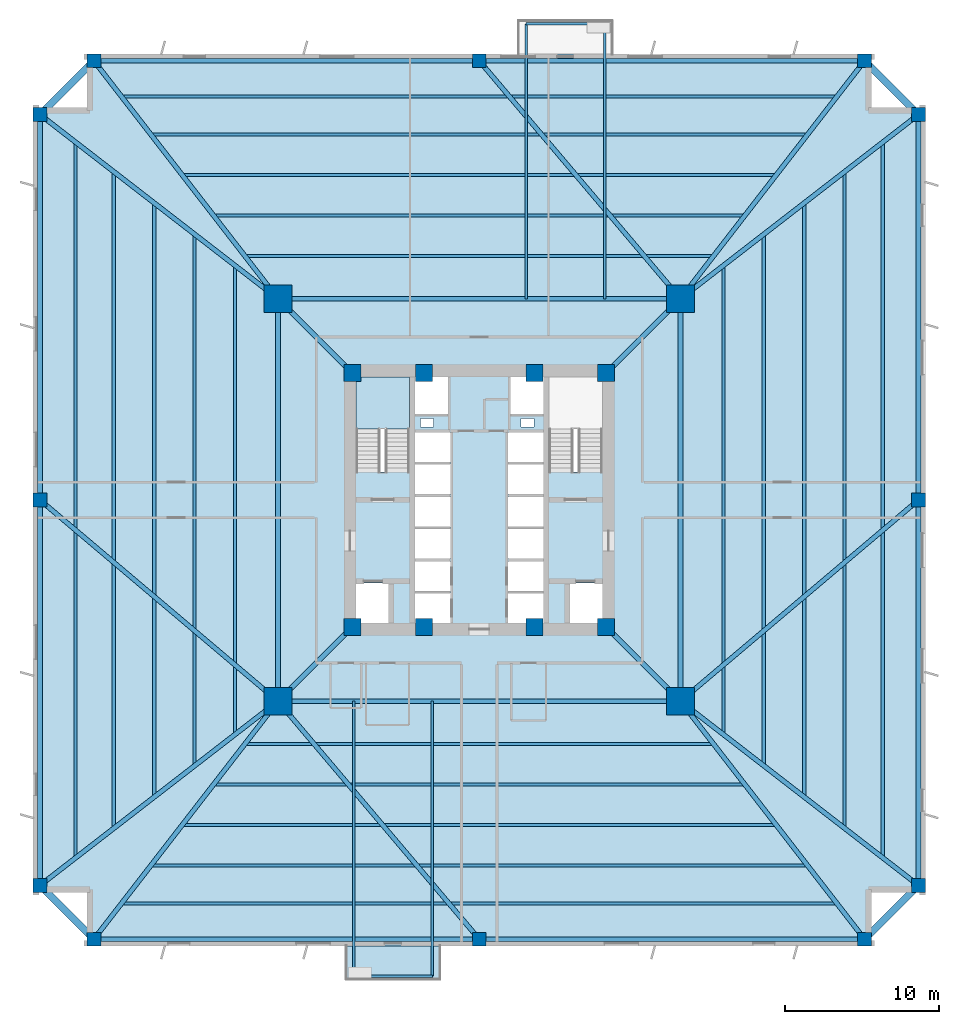
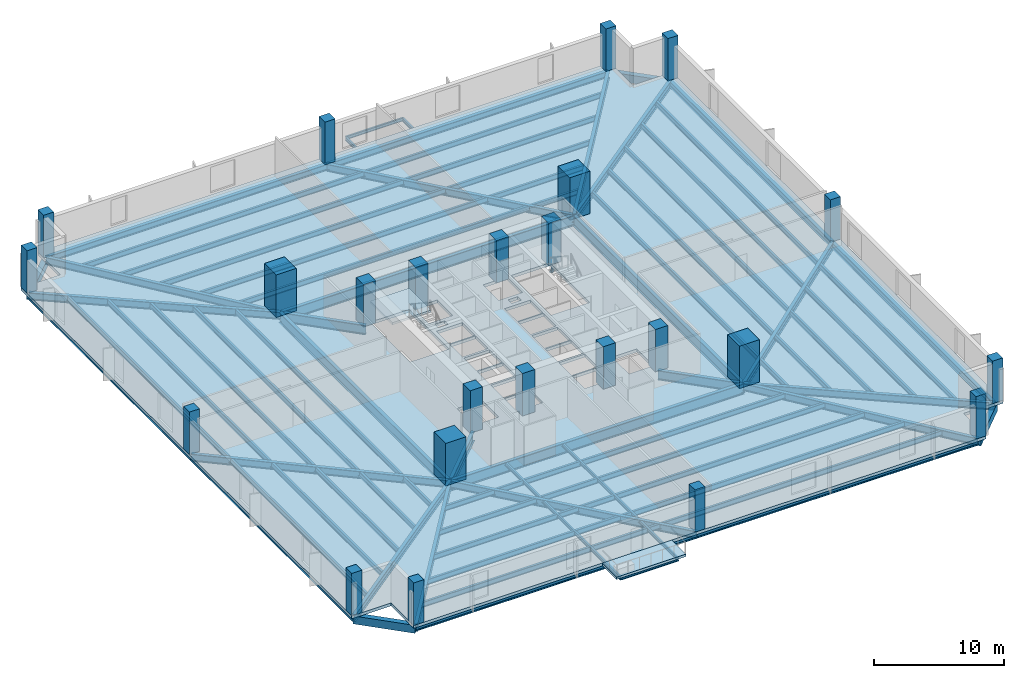
# One storey, part 1 of 8: 58 beams, 24 columns, 3 slabs, 1 element without a shape of its own.
"""IFC4 building model written with IfcOpenShell, lengths in metres."""

from ifc_helpers import new_model, si_unit, direction, frame, origin, origin_2d, place, context, subcontext, project, spatial, polyline, rectangle, i_section, outline, extrude, source, transform, mapped, material, layer, layer_set, material_profile, profile_set, type_object, element, aggregate, save


model = new_model("IFC4")

# Units and contexts
model_context = context("Model", 3, precision=1e-05, world=origin(), true_north=direction((0.0, 1.0)))
body_context = subcontext(model_context, "Body", "Model", "MODEL_VIEW")
ifc_project = project(units=[si_unit("LENGTHUNIT", "METRE"), si_unit("AREAUNIT", "SQUARE_METRE"), si_unit("VOLUMEUNIT", "CUBIC_METRE"), si_unit("PLANEANGLEUNIT", "RADIAN"), si_unit("MASSUNIT", "GRAM", prefix="KILO"), si_unit("THERMODYNAMICTEMPERATUREUNIT", "KELVIN")], contexts=[model_context])

# Site, building, storey
site_placement = place(None, origin())
site = spatial("IfcSite", under=ifc_project, at=site_placement, CompositionType="ELEMENT")
building_placement = place(site_placement, origin())
building = spatial("IfcBuilding", under=site, at=building_placement, Name="Kosmvard Interchange Tower", CompositionType="ELEMENT")
storey_placement = place(building_placement, frame((0.0, 0.0, 30.0)))
storey = spatial("IfcBuildingStorey", under=building, at=storey_placement, Name="L06", CompositionType="ELEMENT", Elevation=30.0)

# Columns
ifc_material_1 = material(Name="Concrete C80/95", Category="concrete")
ifc_material_profile_1 = material_profile(ifc_material_1, rectangle(XDim=1.10009765625, YDim=1.10009765625, at=origin_2d()), Name="CP 1100x1100")
ifc_profile_set_1 = profile_set([ifc_material_profile_1], Name="Concrete C80/95")
column_type_1 = type_object("IfcColumnType", Name="Core Boundary Pilaster 1100x1100 C80/95", PredefinedType="PILASTER", material=ifc_profile_set_1)
shared_shape_1 = source(origin(), body_context, "Body", "SweptSolid", [
    extrude(rectangle(XDim=1.10009765625, YDim=1.10009765625, at=origin_2d()), origin(), (0.0, 0.0, 1.0), 4.0),
])
for number, where, z_axis, x_axis, name in (
    (1, (-8.25, -8.25, 0.0), (0.0, 0.0, 1.0), (1.0, 0.0, 0.0), "L06 Core Pilaster CP1"),
    (2, (8.25, -8.25, 0.0), (0.0, 0.0, 1.0), (1.0, 0.0, 0.0), "L06 Core Pilaster CP2"),
    (3, (8.25, 8.25, 0.0), (0.0, 0.0, 1.0), (1.0, 0.0, 0.0), "L06 Core Pilaster CP3"),
    (4, (-8.25, 8.25, 0.0), (0.0, 0.0, 1.0), (1.0, 0.0, 0.0), "L06 Core Pilaster CP4"),
    (5, (-3.60009765625, -8.25, 0.0), (0.0, 0.0, 1.0), (1.0, 0.0, 0.0), "L06 Core Pilaster CP5"),
    (6, (3.60009765625, -8.25, 0.0), (0.0, 0.0, 1.0), (1.0, 0.0, 0.0), "L06 Core Pilaster CP6"),
    (7, (-3.60009765625, 8.25, 0.0), (0.0, 0.0, 1.0), (1.0, 0.0, 0.0), "L06 Core Pilaster CP7"),
    (8, (3.60009765625, 8.25, 0.0), (0.0, 0.0, 1.0), (1.0, 0.0, 0.0), "L06 Core Pilaster CP8"),
):
    element("IfcColumn", number, at=place(storey_placement, frame(where, z_axis=z_axis, x_axis=x_axis)), inside=storey, type_object=column_type_1, Name=name, PredefinedType="PILASTER", context=body_context, shape_type="MappedRepresentation", body=[
        mapped(shared_shape_1, transform((0.0, 0.0, 0.0), scale=1.0)),
    ])
ifc_material_profile_2 = material_profile(ifc_material_1, rectangle(XDim=1.800048828125, YDim=1.800048828125, at=origin_2d()), Name="MC 1800x1800")
ifc_profile_set_2 = profile_set([ifc_material_profile_2], Name="Concrete C80/95")
column_type_2 = type_object("IfcColumnType", Name="Composite Mega-Column 1800x1800 C80/95", PredefinedType="COLUMN", material=ifc_profile_set_2)
shared_shape_2 = source(origin(), body_context, "Body", "SweptSolid", [
    extrude(rectangle(XDim=1.800048828125, YDim=1.800048828125, at=origin_2d()), origin(), (0.0, 0.0, 1.0), 4.0),
])
for number, where, z_axis, x_axis, name in (
    (9, (-13.0810546875, -13.0810546875, 0.0), (0.0, 0.0, 1.0), (1.0, 0.0, 0.0), "L06 Corner Mega-Column MC1"),
    (10, (13.0810546875, -13.0810546875, 0.0), (0.0, 0.0, 1.0), (1.0, 0.0, 0.0), "L06 Corner Mega-Column MC2"),
    (11, (13.0810546875, 13.0810546875, 0.0), (0.0, 0.0, 1.0), (1.0, 0.0, 0.0), "L06 Corner Mega-Column MC3"),
    (12, (-13.0810546875, 13.0810546875, 0.0), (0.0, 0.0, 1.0), (1.0, 0.0, 0.0), "L06 Corner Mega-Column MC4"),
):
    element("IfcColumn", number, at=place(storey_placement, frame(where, z_axis=z_axis, x_axis=x_axis)), inside=storey, type_object=column_type_2, Name=name, PredefinedType="COLUMN", context=body_context, shape_type="MappedRepresentation", body=[
        mapped(shared_shape_2, transform((0.0, 0.0, 0.0), scale=1.0)),
    ])
ifc_material_2 = material(Name="Concrete C60/75", Category="concrete")
ifc_material_profile_3 = material_profile(ifc_material_2, rectangle(XDim=0.89990234375, YDim=0.89990234375, at=origin_2d()), Name="TC 900x900")
ifc_profile_set_3 = profile_set([ifc_material_profile_3], Name="Concrete C60/75")
column_type_3 = type_object("IfcColumnType", Name="Zone 1 Perimeter Pier Column 900x900 C60/75", PredefinedType="COLUMN", material=ifc_profile_set_3)
shared_shape_3 = source(origin(), body_context, "Body", "SweptSolid", [
    extrude(rectangle(XDim=0.89990234375, YDim=0.89990234375, at=origin_2d()), origin(), (0.0, 0.0, 1.0), 4.0),
])
for number, where, z_axis, x_axis, name in (
    (13, (-25.050048828125, -28.550048828125, 0.0), (0.0, 0.0, 1.0), (1.0, 0.0, 0.0), "L06 Perimeter Pier Column TC-S1"),
    (14, (0.0, -28.550048828125, 0.0), (0.0, 0.0, 1.0), (1.0, 0.0, 0.0), "L06 Perimeter Pier Column TC-S2"),
    (15, (25.050048828125, -28.550048828125, 0.0), (0.0, 0.0, 1.0), (1.0, 0.0, 0.0), "L06 Perimeter Pier Column TC-S3"),
    (16, (28.550048828125, -25.050048828125, 0.0), (0.0, 0.0, 1.0), (1.0, 0.0, 0.0), "L06 Perimeter Pier Column TC-E1"),
    (17, (28.550048828125, 0.0, 0.0), (0.0, 0.0, 1.0), (1.0, 0.0, 0.0), "L06 Perimeter Pier Column TC-E2"),
    (18, (28.550048828125, 25.050048828125, 0.0), (0.0, 0.0, 1.0), (1.0, 0.0, 0.0), "L06 Perimeter Pier Column TC-E3"),
    (19, (25.050048828125, 28.550048828125, 0.0), (0.0, 0.0, 1.0), (1.0, 0.0, 0.0), "L06 Perimeter Pier Column TC-N1"),
    (20, (0.0, 28.550048828125, 0.0), (0.0, 0.0, 1.0), (1.0, 0.0, 0.0), "L06 Perimeter Pier Column TC-N2"),
    (21, (-25.050048828125, 28.550048828125, 0.0), (0.0, 0.0, 1.0), (1.0, 0.0, 0.0), "L06 Perimeter Pier Column TC-N3"),
    (22, (-28.550048828125, 25.050048828125, 0.0), (0.0, 0.0, 1.0), (1.0, 0.0, 0.0), "L06 Perimeter Pier Column TC-W1"),
    (23, (-28.550048828125, 0.0, 0.0), (0.0, 0.0, 1.0), (1.0, 0.0, 0.0), "L06 Perimeter Pier Column TC-W2"),
    (24, (-28.550048828125, -25.050048828125, 0.0), (0.0, 0.0, 1.0), (1.0, 0.0, 0.0), "L06 Perimeter Pier Column TC-W3"),
):
    element("IfcColumn", number, at=place(storey_placement, frame(where, z_axis=z_axis, x_axis=x_axis)), inside=storey, type_object=column_type_3, Name=name, PredefinedType="COLUMN", context=body_context, shape_type="MappedRepresentation", body=[
        mapped(shared_shape_3, transform((0.0, 0.0, 0.0), scale=1.0)),
    ])

# Beams
ifc_material_3 = material(Name="Steel S460", Category="steel")
ifc_material_profile_4 = material_profile(ifc_material_3, i_section(OverallWidth=0.30810546875, OverallDepth=0.909912109375, WebThickness=0.02099609375, FlangeThickness=0.0400390625, FilletRadius=0.027099609375, at=origin_2d()), Name="HEM 900")
ifc_profile_set_4 = profile_set([ifc_material_profile_4], Name="Steel S460")
beam_type_1 = type_object("IfcBeamType", Name="Primary Mega-Frame Girder HEM 900 S460", PredefinedType="BEAM", material=ifc_profile_set_4)
shared_shape_4 = source(origin(), body_context, "Body", "SweptSolid", [
    extrude(i_section(OverallWidth=0.30810546875, OverallDepth=0.909912109375, WebThickness=0.02099609375, FlangeThickness=0.0400390625, FilletRadius=0.027099609375, at=origin_2d()), origin(), (0.0, 0.0, 1.0), 6.83203125),
])
for number, where, z_axis, x_axis, name in (
    (25, (-8.25, -8.25, -0.735107421875), (-0.707106781187, -0.707106781187, 0.0), (0.707106781187, -0.707106781187, 0.0), "L06 Radial Mega-Frame Girder 1"),
    (26, (8.25, -8.25, -0.735107421875), (0.707106781187, -0.707106781187, 0.0), (0.707106781187, 0.707106781187, 0.0), "L06 Radial Mega-Frame Girder 2"),
    (27, (8.25, 8.25, -0.735107421875), (0.707106781187, 0.707106781187, 0.0), (-0.707106781187, 0.707106781187, 0.0), "L06 Radial Mega-Frame Girder 3"),
    (28, (-8.25, 8.25, -0.735107421875), (-0.707106781187, 0.707106781187, 0.0), (-0.707106781187, -0.707106781187, 0.0), "L06 Radial Mega-Frame Girder 4"),
):
    element("IfcBeam", number, at=place(storey_placement, frame(where, z_axis=z_axis, x_axis=x_axis)), inside=storey, type_object=beam_type_1, Name=name, PredefinedType="BEAM", context=body_context, shape_type="MappedRepresentation", body=[
        mapped(shared_shape_4, transform((0.0, 0.0, 0.0), scale=1.0)),
    ])
ifc_material_profile_5 = material_profile(ifc_material_3, i_section(OverallWidth=0.30908203125, OverallDepth=1.008056640625, WebThickness=0.02099609375, FlangeThickness=0.0400390625, FilletRadius=0.030029296875, at=origin_2d()), Name="HEM 1000")
ifc_profile_set_5 = profile_set([ifc_material_profile_5], Name="Steel S460")
beam_type_2 = type_object("IfcBeamType", Name="Mega-Column Ring Girder HEM 1000 S460", PredefinedType="BEAM", material=ifc_profile_set_5)
shared_shape_5 = source(origin(), body_context, "Body", "SweptSolid", [
    extrude(i_section(OverallWidth=0.30908203125, OverallDepth=1.008056640625, WebThickness=0.02099609375, FlangeThickness=0.0400390625, FilletRadius=0.030029296875, at=origin_2d()), origin(), (0.0, 0.0, 1.0), 26.162109375),
])
for number, where, z_axis, x_axis, name in (
    (29, (-13.0810546875, -13.0810546875, -0.783935546875), (1.0, 0.0, 0.0), (0.0, 1.0, 0.0), "L06 Mega-Column Ring Girder 1"),
    (30, (13.0810546875, -13.0810546875, -0.783935546875), (0.0, 1.0, 0.0), (-1.0, 0.0, 0.0), "L06 Mega-Column Ring Girder 2"),
    (31, (13.0810546875, 13.0810546875, -0.783935546875), (-1.0, 0.0, 0.0), (0.0, -1.0, 0.0), "L06 Mega-Column Ring Girder 3"),
    (32, (-13.0810546875, 13.0810546875, -0.783935546875), (0.0, -1.0, 0.0), (1.0, 0.0, 0.0), "L06 Mega-Column Ring Girder 4"),
):
    element("IfcBeam", number, at=place(storey_placement, frame(where, z_axis=z_axis, x_axis=x_axis)), inside=storey, type_object=beam_type_2, Name=name, PredefinedType="BEAM", context=body_context, shape_type="MappedRepresentation", body=[
        mapped(shared_shape_5, transform((0.0, 0.0, 0.0), scale=1.0)),
    ])
ifc_material_4 = material(Name="Steel S355", Category="steel")
ifc_material_profile_6 = material_profile(ifc_material_4, i_section(OverallWidth=0.159912109375, OverallDepth=0.330078125, WebThickness=0.007568359375, FlangeThickness=0.011474609375, FilletRadius=0.01806640625, at=origin_2d()), Name="IPE 330")
ifc_profile_set_6 = profile_set([ifc_material_profile_6], Name="Steel S355")
beam_type_3 = type_object("IfcBeamType", Name="Balcony Cantilever Joist IPE 330 S355", PredefinedType="JOIST", material=ifc_profile_set_6)
shared_shape_6 = source(origin(), body_context, "Body", "SweptSolid", [
    extrude(i_section(OverallWidth=0.159912109375, OverallDepth=0.330078125, WebThickness=0.007568359375, FlangeThickness=0.011474609375, FilletRadius=0.01806640625, at=origin_2d()), origin(), (0.0, 0.0, 1.0), 17.868896484375),
])
for number, where, z_axis, x_axis, name in (
    (33, (8.14990234375, 13.0810546875, -0.445068359375), (0.0, 1.0, 0.0), (-1.0, 0.0, 0.0), "BM-L06-BJ1"),
    (34, (3.050048828125, 13.0810546875, -0.445068359375), (0.0, 1.0, 0.0), (-1.0, 0.0, 0.0), "BM-L06-BJB1"),
    (35, (-8.14990234375, -13.0810546875, -0.445068359375), (0.0, -1.0, 0.0), (1.0, 0.0, 0.0), "BM-L06-BJ2"),
    (36, (-3.050048828125, -13.0810546875, -0.445068359375), (0.0, -1.0, 0.0), (1.0, 0.0, 0.0), "BM-L06-BJB2"),
):
    element("IfcBeam", number, at=place(storey_placement, frame(where, z_axis=z_axis, x_axis=x_axis)), inside=storey, type_object=beam_type_3, Name=name, PredefinedType="JOIST", context=body_context, shape_type="MappedRepresentation", body=[
        mapped(shared_shape_6, transform((0.0, 0.0, 0.0), scale=1.0)),
    ])
ifc_material_profile_7 = material_profile(ifc_material_4, i_section(OverallWidth=0.14990234375, OverallDepth=0.300048828125, WebThickness=0.007080078125, FlangeThickness=0.0107421875, FilletRadius=0.014892578125, at=origin_2d()), Name="IPE 300")
ifc_profile_set_7 = profile_set([ifc_material_profile_7], Name="Steel S355")
beam_type_4 = type_object("IfcBeamType", Name="Balcony Edge Header Joist IPE 300 S355", PredefinedType="JOIST", material=ifc_profile_set_7)
shared_shape_7 = source(origin(), body_context, "Body", "SweptSolid", [
    extrude(i_section(OverallWidth=0.14990234375, OverallDepth=0.300048828125, WebThickness=0.007080078125, FlangeThickness=0.0107421875, FilletRadius=0.014892578125, at=origin_2d()), origin(), (0.0, 0.0, 1.0), 5.099853515625),
])
for number, where, z_axis, x_axis, name in (
    (37, (8.14990234375, 30.949951171875, -0.429931640625), (-1.0, 0.0, 0.0), (0.0, -1.0, 0.0), "BM-L06-BJH1"),
    (38, (-8.14990234375, -30.949951171875, -0.429931640625), (1.0, 0.0, 0.0), (0.0, 1.0, 0.0), "BM-L06-BJH2"),
):
    element("IfcBeam", number, at=place(storey_placement, frame(where, z_axis=z_axis, x_axis=x_axis)), inside=storey, type_object=beam_type_4, Name=name, PredefinedType="JOIST", context=body_context, shape_type="MappedRepresentation", body=[
        mapped(shared_shape_7, transform((0.0, 0.0, 0.0), scale=1.0)),
    ])
ifc_material_profile_8 = material_profile(ifc_material_4, i_section(OverallWidth=0.300048828125, OverallDepth=0.60009765625, WebThickness=0.015380859375, FlangeThickness=0.030029296875, FilletRadius=0.027099609375, at=origin_2d()), Name="HEB 600")
ifc_profile_set_8 = profile_set([ifc_material_profile_8], Name="Steel S355")
beam_type_5 = type_object("IfcBeamType", Name="Perimeter Tie Girder HEB 600 S355", PredefinedType="BEAM", material=ifc_profile_set_8)
shared_shape_8 = source(origin(), body_context, "Body", "SweptSolid", [
    extrude(i_section(OverallWidth=0.300048828125, OverallDepth=0.60009765625, WebThickness=0.015380859375, FlangeThickness=0.030029296875, FilletRadius=0.027099609375, at=origin_2d()), origin(), (0.0, 0.0, 1.0), 25.050048828125),
])
for number, where, z_axis, x_axis, name in (
    (39, (-25.050048828125, -28.550048828125, -0.580078125), (1.0, 0.0, 0.0), (0.0, 1.0, 0.0), "BM-L06-PR01"),
    (40, (0.0, -28.550048828125, -0.580078125), (1.0, 0.0, 0.0), (0.0, 1.0, 0.0), "BM-L06-PR02"),
    (41, (28.550048828125, -25.050048828125, -0.580078125), (0.0, 1.0, 0.0), (-1.0, 0.0, 0.0), "BM-L06-PR04"),
    (42, (28.550048828125, 0.0, -0.580078125), (0.0, 1.0, 0.0), (-1.0, 0.0, 0.0), "BM-L06-PR05"),
    (43, (25.050048828125, 28.550048828125, -0.580078125), (-1.0, 0.0, 0.0), (0.0, -1.0, 0.0), "BM-L06-PR07"),
    (44, (0.0, 28.550048828125, -0.580078125), (-1.0, 0.0, 0.0), (0.0, -1.0, 0.0), "BM-L06-PR08"),
    (45, (-28.550048828125, 25.050048828125, -0.580078125), (0.0, -1.0, 0.0), (1.0, 0.0, 0.0), "BM-L06-PR10"),
    (46, (-28.550048828125, 0.0, -0.580078125), (0.0, -1.0, 0.0), (1.0, 0.0, 0.0), "BM-L06-PR11"),
):
    element("IfcBeam", number, at=place(storey_placement, frame(where, z_axis=z_axis, x_axis=x_axis)), inside=storey, type_object=beam_type_5, Name=name, PredefinedType="BEAM", context=body_context, shape_type="MappedRepresentation", body=[
        mapped(shared_shape_8, transform((0.0, 0.0, 0.0), scale=1.0)),
    ])
ifc_material_profile_9 = material_profile(ifc_material_4, i_section(OverallWidth=0.300048828125, OverallDepth=0.699951171875, WebThickness=0.01708984375, FlangeThickness=0.031982421875, FilletRadius=0.027099609375, at=origin_2d()), Name="HEB 700")
ifc_profile_set_9 = profile_set([ifc_material_profile_9], Name="Steel S355")
beam_type_6 = type_object("IfcBeamType", Name="Primary Floor Girder HEB 700 S355", PredefinedType="BEAM", material=ifc_profile_set_9)
shared_shape_9 = source(origin(), body_context, "Body", "SweptSolid", [
    extrude(i_section(OverallWidth=0.300048828125, OverallDepth=0.699951171875, WebThickness=0.01708984375, FlangeThickness=0.031982421875, FilletRadius=0.027099609375, at=origin_2d()), origin(), (0.0, 0.0, 1.0), 19.558837890625),
])
for number, where, z_axis, x_axis, name in (
    (47, (-13.0810546875, -13.0810546875, -0.6298828125), (-0.611949354357, -0.79089695138, 0.0), (0.79089695138, -0.611949354357, 0.0), "BM-L06-RD01"),
    (48, (13.0810546875, -13.0810546875, -0.6298828125), (0.611949354357, -0.79089695138, 0.0), (0.79089695138, 0.611949354357, 0.0), "BM-L06-RD03"),
    (49, (13.0810546875, -13.0810546875, -0.6298828125), (0.79089695138, -0.611949354357, 0.0), (0.611949354357, 0.79089695138, 0.0), "BM-L06-RD04"),
    (50, (13.0810546875, 13.0810546875, -0.6298828125), (0.79089695138, 0.611949354357, 0.0), (-0.611949354357, 0.79089695138, 0.0), "BM-L06-RD06"),
    (51, (13.0810546875, 13.0810546875, -0.6298828125), (0.611949354357, 0.79089695138, 0.0), (-0.79089695138, 0.611949354357, 0.0), "BM-L06-RD07"),
    (52, (-13.0810546875, 13.0810546875, -0.6298828125), (-0.611949354357, 0.79089695138, 0.0), (-0.79089695138, -0.611949354357, 0.0), "BM-L06-RD09"),
    (53, (-13.0810546875, 13.0810546875, -0.6298828125), (-0.79089695138, 0.611949354357, 0.0), (-0.611949354357, -0.79089695138, 0.0), "BM-L06-RD10"),
    (54, (-13.0810546875, -13.0810546875, -0.6298828125), (-0.79089695138, -0.611949354357, 0.0), (0.611949354357, -0.79089695138, 0.0), "BM-L06-RD12"),
):
    element("IfcBeam", number, at=place(storey_placement, frame(where, z_axis=z_axis, x_axis=x_axis)), inside=storey, type_object=beam_type_6, Name=name, PredefinedType="BEAM", context=body_context, shape_type="MappedRepresentation", body=[
        mapped(shared_shape_9, transform((0.0, 0.0, 0.0), scale=1.0)),
    ])
shared_shape_10 = source(origin(), body_context, "Body", "SweptSolid", [
    extrude(i_section(OverallWidth=0.300048828125, OverallDepth=0.699951171875, WebThickness=0.01708984375, FlangeThickness=0.031982421875, FilletRadius=0.027099609375, at=origin_2d()), origin(), (0.0, 0.0, 1.0), 20.258544921875),
])
for number, where, z_axis, x_axis, name in (
    (55, (-13.0810546875, -13.0810546875, -0.6298828125), (0.645709371734, -0.763583268056, 0.0), (0.763583268056, 0.645709371734, 0.0), "BM-L06-RD02"),
    (56, (13.0810546875, -13.0810546875, -0.6298828125), (0.763583268056, 0.645709371734, 0.0), (-0.645709371734, 0.763583268056, 0.0), "BM-L06-RD05"),
    (57, (13.0810546875, 13.0810546875, -0.6298828125), (-0.645709371734, 0.763583268056, 0.0), (-0.763583268056, -0.645709371734, 0.0), "BM-L06-RD08"),
    (58, (-13.0810546875, -13.0810546875, -0.6298828125), (-0.763583268056, 0.645709371734, 0.0), (-0.645709371734, -0.763583268056, 0.0), "BM-L06-RD11"),
):
    element("IfcBeam", number, at=place(storey_placement, frame(where, z_axis=z_axis, x_axis=x_axis)), inside=storey, type_object=beam_type_6, Name=name, PredefinedType="BEAM", context=body_context, shape_type="MappedRepresentation", body=[
        mapped(shared_shape_10, transform((0.0, 0.0, 0.0), scale=1.0)),
    ])
ifc_material_5 = material(Name="Precast concrete C45/55", Category="concrete")
ifc_material_profile_10 = material_profile(ifc_material_5, rectangle(XDim=0.449951171875, YDim=0.75, at=origin_2d()), Name="SL 450x750")
ifc_profile_set_10 = profile_set([ifc_material_profile_10], Name="Precast concrete C45/55")
beam_type_7 = type_object("IfcBeamType", Name="Precast Spandrel Lintel 450x750 C45/55", PredefinedType="LINTEL", material=ifc_profile_set_10)
shared_shape_11 = source(origin(), body_context, "Body", "SweptSolid", [
    extrude(rectangle(XDim=0.449951171875, YDim=0.75, at=origin_2d()), origin(), (0.0, 0.0, 1.0), 4.94970703125),
])
for number, where, z_axis, x_axis, name in (
    (59, (25.050048828125, -28.550048828125, -0.655029296875), (0.707106781187, 0.707106781187, 0.0), (-0.707106781187, 0.707106781187, 0.0), "BM-L06-SL1"),
    (60, (28.550048828125, 25.050048828125, -0.655029296875), (-0.707106781187, 0.707106781187, 0.0), (-0.707106781187, -0.707106781187, 0.0), "BM-L06-SL2"),
    (61, (-25.050048828125, 28.550048828125, -0.655029296875), (-0.707106781187, -0.707106781187, 0.0), (0.707106781187, -0.707106781187, 0.0), "BM-L06-SL3"),
    (62, (-28.550048828125, -25.050048828125, -0.655029296875), (0.707106781187, -0.707106781187, 0.0), (0.707106781187, 0.707106781187, 0.0), "BM-L06-SL4"),
):
    element("IfcBeam", number, at=place(storey_placement, frame(where, z_axis=z_axis, x_axis=x_axis)), inside=storey, type_object=beam_type_7, Name=name, PredefinedType="LINTEL", context=body_context, shape_type="MappedRepresentation", body=[
        mapped(shared_shape_11, transform((0.0, 0.0, 0.0), scale=1.0)),
    ])
ifc_material_profile_11 = material_profile(ifc_material_4, i_section(OverallWidth=0.199951171875, OverallDepth=0.5, WebThickness=0.01025390625, FlangeThickness=0.01611328125, FilletRadius=0.02099609375, at=origin_2d()), Name="IPE 500")
ifc_profile_set_11 = profile_set([ifc_material_profile_11], Name="Steel S355")
beam_type_8 = type_object("IfcBeamType", Name="Standard Floor Joist IPE 500 S355", PredefinedType="JOIST", material=ifc_profile_set_11)
shared_shape_12 = source(origin(), body_context, "Body", "SweptSolid", [
    extrude(i_section(OverallWidth=0.199951171875, OverallDepth=0.5, WebThickness=0.01025390625, FlangeThickness=0.01611328125, FilletRadius=0.02099609375, at=origin_2d()), origin(), (0.0, 0.0, 1.0), 30.31103515625),
])
for number, where, z_axis, x_axis, name in (
    (63, (-15.155517578125, -15.865478515625, -0.530029296875), (1.0, 0.0, 0.0), (0.0, 1.0, 0.0), "BM-L06-FJ01"),
    (64, (15.865478515625, -15.155517578125, -0.530029296875), (0.0, 1.0, 0.0), (-1.0, 0.0, 0.0), "BM-L06-FJ06"),
    (65, (15.155517578125, 15.865478515625, -0.530029296875), (-1.0, 0.0, 0.0), (0.0, -1.0, 0.0), "BM-L06-FJ11"),
    (66, (-15.865478515625, 15.155517578125, -0.530029296875), (0.0, -1.0, 0.0), (1.0, 0.0, 0.0), "BM-L06-FJ16"),
):
    element("IfcBeam", number, at=place(storey_placement, frame(where, z_axis=z_axis, x_axis=x_axis)), inside=storey, type_object=beam_type_8, Name=name, PredefinedType="JOIST", context=body_context, shape_type="MappedRepresentation", body=[
        mapped(shared_shape_12, transform((0.0, 0.0, 0.0), scale=1.0)),
    ])
shared_shape_13 = source(origin(), body_context, "Body", "SweptSolid", [
    extrude(i_section(OverallWidth=0.199951171875, OverallDepth=0.5, WebThickness=0.01025390625, FlangeThickness=0.01611328125, FilletRadius=0.02099609375, at=origin_2d()), origin(), (0.0, 0.0, 1.0), 34.38037109375),
])
for number, where, z_axis, x_axis, name in (
    (67, (-17.190185546875, -18.4951171875, -0.530029296875), (1.0, 0.0, 0.0), (0.0, 1.0, 0.0), "BM-L06-FJ02"),
    (68, (18.4951171875, -17.190185546875, -0.530029296875), (0.0, 1.0, 0.0), (-1.0, 0.0, 0.0), "BM-L06-FJ07"),
    (69, (17.190185546875, 18.4951171875, -0.530029296875), (-1.0, 0.0, 0.0), (0.0, -1.0, 0.0), "BM-L06-FJ12"),
    (70, (-18.4951171875, 17.190185546875, -0.530029296875), (0.0, -1.0, 0.0), (1.0, 0.0, 0.0), "BM-L06-FJ17"),
):
    element("IfcBeam", number, at=place(storey_placement, frame(where, z_axis=z_axis, x_axis=x_axis)), inside=storey, type_object=beam_type_8, Name=name, PredefinedType="JOIST", context=body_context, shape_type="MappedRepresentation", body=[
        mapped(shared_shape_13, transform((0.0, 0.0, 0.0), scale=1.0)),
    ])
shared_shape_14 = source(origin(), body_context, "Body", "SweptSolid", [
    extrude(i_section(OverallWidth=0.199951171875, OverallDepth=0.5, WebThickness=0.01025390625, FlangeThickness=0.01611328125, FilletRadius=0.02099609375, at=origin_2d()), origin(), (0.0, 0.0, 1.0), 38.44970703125),
])
for number, where, z_axis, x_axis, name in (
    (71, (-19.224853515625, -21.125, -0.530029296875), (1.0, 0.0, 0.0), (0.0, 1.0, 0.0), "BM-L06-FJ03"),
    (72, (21.125, -19.224853515625, -0.530029296875), (0.0, 1.0, 0.0), (-1.0, 0.0, 0.0), "BM-L06-FJ08"),
    (73, (19.224853515625, 21.125, -0.530029296875), (-1.0, 0.0, 0.0), (0.0, -1.0, 0.0), "BM-L06-FJ13"),
    (74, (-21.125, 19.224853515625, -0.530029296875), (0.0, -1.0, 0.0), (1.0, 0.0, 0.0), "BM-L06-FJ18"),
):
    element("IfcBeam", number, at=place(storey_placement, frame(where, z_axis=z_axis, x_axis=x_axis)), inside=storey, type_object=beam_type_8, Name=name, PredefinedType="JOIST", context=body_context, shape_type="MappedRepresentation", body=[
        mapped(shared_shape_14, transform((0.0, 0.0, 0.0), scale=1.0)),
    ])
shared_shape_15 = source(origin(), body_context, "Body", "SweptSolid", [
    extrude(i_section(OverallWidth=0.199951171875, OverallDepth=0.5, WebThickness=0.01025390625, FlangeThickness=0.01611328125, FilletRadius=0.02099609375, at=origin_2d()), origin(), (0.0, 0.0, 1.0), 42.51904296875),
])
for number, where, z_axis, x_axis, name in (
    (75, (-21.259521484375, -23.754638671875, -0.530029296875), (1.0, 0.0, 0.0), (0.0, 1.0, 0.0), "BM-L06-FJ04"),
    (76, (23.754638671875, -21.259521484375, -0.530029296875), (0.0, 1.0, 0.0), (-1.0, 0.0, 0.0), "BM-L06-FJ09"),
    (77, (21.259521484375, 23.754638671875, -0.530029296875), (-1.0, 0.0, 0.0), (0.0, -1.0, 0.0), "BM-L06-FJ14"),
    (78, (-23.754638671875, 21.259521484375, -0.530029296875), (0.0, -1.0, 0.0), (1.0, 0.0, 0.0), "BM-L06-FJ19"),
):
    element("IfcBeam", number, at=place(storey_placement, frame(where, z_axis=z_axis, x_axis=x_axis)), inside=storey, type_object=beam_type_8, Name=name, PredefinedType="JOIST", context=body_context, shape_type="MappedRepresentation", body=[
        mapped(shared_shape_15, transform((0.0, 0.0, 0.0), scale=1.0)),
    ])
shared_shape_16 = source(origin(), body_context, "Body", "SweptSolid", [
    extrude(i_section(OverallWidth=0.199951171875, OverallDepth=0.5, WebThickness=0.01025390625, FlangeThickness=0.01611328125, FilletRadius=0.02099609375, at=origin_2d()), origin(), (0.0, 0.0, 1.0), 46.34912109375),
])
for number, where, z_axis, x_axis, name in (
    (79, (-23.174560546875, -26.229736328125, -0.530029296875), (1.0, 0.0, 0.0), (0.0, 1.0, 0.0), "BM-L06-FJ05"),
    (80, (26.229736328125, -23.174560546875, -0.530029296875), (0.0, 1.0, 0.0), (-1.0, 0.0, 0.0), "BM-L06-FJ10"),
    (81, (23.174560546875, 26.229736328125, -0.530029296875), (-1.0, 0.0, 0.0), (0.0, -1.0, 0.0), "BM-L06-FJ15"),
    (82, (-26.229736328125, 23.174560546875, -0.530029296875), (0.0, -1.0, 0.0), (1.0, 0.0, 0.0), "BM-L06-FJ20"),
):
    element("IfcBeam", number, at=place(storey_placement, frame(where, z_axis=z_axis, x_axis=x_axis)), inside=storey, type_object=beam_type_8, Name=name, PredefinedType="JOIST", context=body_context, shape_type="MappedRepresentation", body=[
        mapped(shared_shape_16, transform((0.0, 0.0, 0.0), scale=1.0)),
    ])

# Slab
ifc_material_6 = material(Name="Concrete C50/60", Category="concrete")
ifc_layer_1 = layer(ifc_material_6, 0.280029296875, Name="Concrete C50/60")
ifc_layer_set_1 = layer_set([ifc_layer_1], Name="Concrete C50/60")
slab_type_1 = type_object("IfcSlabType", Name="Low-Rise Office Composite Slab 280 C50/60", PredefinedType="FLOOR", material=ifc_layer_set_1)
slab_1_placement = place(storey_placement, frame((0.0, 0.0, -0.280029296875)))
element("IfcSlab", 83, at=slab_1_placement, inside=storey, type_object=slab_type_1, Name="L06 Structural Floor Slab", PredefinedType="FLOOR", context=body_context, shape_type="SweptSolid", body=[
    extrude(outline(polyline([(-25.5, -29.0), (25.5, -29.0), (25.5, -25.5), (29.0, -25.5), (29.0, 25.5), (25.5, 25.5), (25.5, 29.0), (-25.5, 29.0), (-25.5, 25.5), (-29.0, 25.5), (-29.0, -25.5), (-25.5, -25.5), (-25.5, -29.0)]), holes=[polyline([(-8.0, 1.8349609375), (-4.5400390625, 1.8349609375), (-4.5400390625, 8.0), (-8.0, 8.0), (-8.0, 1.8349609375)]), polyline([(4.5400390625, 1.8349609375), (8.0, 1.8349609375), (8.0, 8.0), (4.5400390625, 8.0), (4.5400390625, 1.8349609375)]), polyline([(-8.0, -8.0), (-5.800048828125, -8.0), (-5.800048828125, -5.39990234375), (-8.0, -5.39990234375), (-8.0, -8.0)]), polyline([(5.800048828125, -8.0), (8.0, -8.0), (8.0, -5.39990234375), (5.800048828125, -5.39990234375), (5.800048828125, -8.0)]), polyline([(-4.179931640625, -8.0), (-1.8798828125, -8.0), (-1.8798828125, -6.06005859375), (-4.179931640625, -6.06005859375), (-4.179931640625, -8.0)]), polyline([(-4.179931640625, -5.93994140625), (-1.8798828125, -5.93994140625), (-1.8798828125, -4.0), (-4.179931640625, -4.0), (-4.179931640625, -5.93994140625)]), polyline([(1.8798828125, -8.0), (4.179931640625, -8.0), (4.179931640625, -6.06005859375), (1.8798828125, -6.06005859375), (1.8798828125, -8.0)]), polyline([(1.8798828125, -5.93994140625), (4.179931640625, -5.93994140625), (4.179931640625, -4.0), (1.8798828125, -4.0), (1.8798828125, -5.93994140625)]), polyline([(-4.179931640625, -3.800048828125), (-1.8798828125, -3.800048828125), (-1.8798828125, -1.860107421875), (-4.179931640625, -1.860107421875), (-4.179931640625, -3.800048828125)]), polyline([(-4.179931640625, -1.739990234375), (-1.8798828125, -1.739990234375), (-1.8798828125, 0.199951171875), (-4.179931640625, 0.199951171875), (-4.179931640625, -1.739990234375)]), polyline([(1.8798828125, -3.800048828125), (4.179931640625, -3.800048828125), (4.179931640625, -1.860107421875), (1.8798828125, -1.860107421875), (1.8798828125, -3.800048828125)]), polyline([(1.8798828125, -1.739990234375), (4.179931640625, -1.739990234375), (4.179931640625, 0.199951171875), (1.8798828125, 0.199951171875), (1.8798828125, -1.739990234375)]), polyline([(-4.179931640625, 0.39990234375), (-1.8798828125, 0.39990234375), (-1.8798828125, 2.340087890625), (-4.179931640625, 2.340087890625), (-4.179931640625, 0.39990234375)]), polyline([(-4.179931640625, 2.4599609375), (-1.8798828125, 2.4599609375), (-1.8798828125, 4.39990234375), (-4.179931640625, 4.39990234375), (-4.179931640625, 2.4599609375)]), polyline([(1.8798828125, 0.39990234375), (4.179931640625, 0.39990234375), (4.179931640625, 2.340087890625), (1.8798828125, 2.340087890625), (1.8798828125, 0.39990234375)]), polyline([(1.8798828125, 2.4599609375), (4.179931640625, 2.4599609375), (4.179931640625, 4.39990234375), (1.8798828125, 4.39990234375), (1.8798828125, 2.4599609375)]), polyline([(-4.179931640625, 5.60009765625), (-2.0400390625, 5.60009765625), (-2.0400390625, 8.0), (-4.179931640625, 8.0), (-4.179931640625, 5.60009765625)]), polyline([(2.0400390625, 5.60009765625), (4.179931640625, 5.60009765625), (4.179931640625, 8.0), (2.0400390625, 8.0), (2.0400390625, 5.60009765625)]), polyline([(-3.81494140625, 4.739990234375), (-2.965087890625, 4.739990234375), (-2.965087890625, 5.2900390625), (-3.81494140625, 5.2900390625), (-3.81494140625, 4.739990234375)]), polyline([(2.715087890625, 4.739990234375), (3.56494140625, 4.739990234375), (3.56494140625, 5.2900390625), (2.715087890625, 5.2900390625), (2.715087890625, 4.739990234375)])]), origin(), (0.0, 0.0, 1.0), 0.280029296875),
])

# Stair, slab
stair_type = type_object("IfcStairType", Name="Dog-Leg Core Exit Stair H4000 C50/60", PredefinedType="HALF_TURN_STAIR", material=ifc_material_6)
stair_placement = place(storey_placement, origin())
stair = element("IfcStair", 84, at=stair_placement, inside=storey, type_object=stair_type, Name="L06 Protected Exit Stair ST-1", PredefinedType="HALF_TURN_STAIR")
ifc_layer_2 = layer(ifc_material_6, 0.199951171875, Name="Concrete C50/60")
ifc_layer_set_2 = layer_set([ifc_layer_2], Name="Concrete C50/60")
slab_type_2 = type_object("IfcSlabType", Name="Stair Half-Landing Slab 200 C50/60", PredefinedType="LANDING", material=ifc_layer_set_2)
slab_2_placement = place(storey_placement, frame((0.0, 0.0, 1.800048828125)))
slab_2 = element("IfcSlab", 85, at=slab_2_placement, type_object=slab_type_2, Name="ST-1 landing 1", PredefinedType="LANDING", context=body_context, shape_type="SweptSolid", body=[
    extrude(outline(polyline([(-4.5400390625, 4.60009765625), (-4.5400390625, 8.0), (-8.0, 8.0), (-8.0, 4.60009765625), (-4.5400390625, 4.60009765625)])), origin(), (0.0, 0.0, 1.0), 0.199951171875),
])
aggregate(stair, [slab_2])

# Slab
ifc_layer_3 = layer(ifc_material_6, 0.22998046875, Name="Concrete C50/60")
ifc_layer_set_3 = layer_set([ifc_layer_3], Name="Concrete C50/60")
slab_type_3 = type_object("IfcSlabType", Name="Tree-Planter Cantilever Balcony Slab 230 C50/60", PredefinedType="FLOOR", material=ifc_layer_set_3)
slab_3_placement = place(storey_placement, frame((0.0, 0.0, -0.22998046875)))
element("IfcSlab", 86, at=slab_3_placement, inside=storey, type_object=slab_type_3, Name="L06 Outdoor Terrace Balcony Slab BAL-L06-S", PredefinedType="FLOOR", context=body_context, shape_type="SweptSolid", body=[
    extrude(outline(polyline([(-8.699951171875, -31.199951171875), (-2.5, -31.199951171875), (-2.5, -29.0), (-8.699951171875, -29.0), (-8.699951171875, -31.199951171875)])), origin(), (0.0, 0.0, 1.0), 0.22998046875),
])

save(model, "model.ifc")
